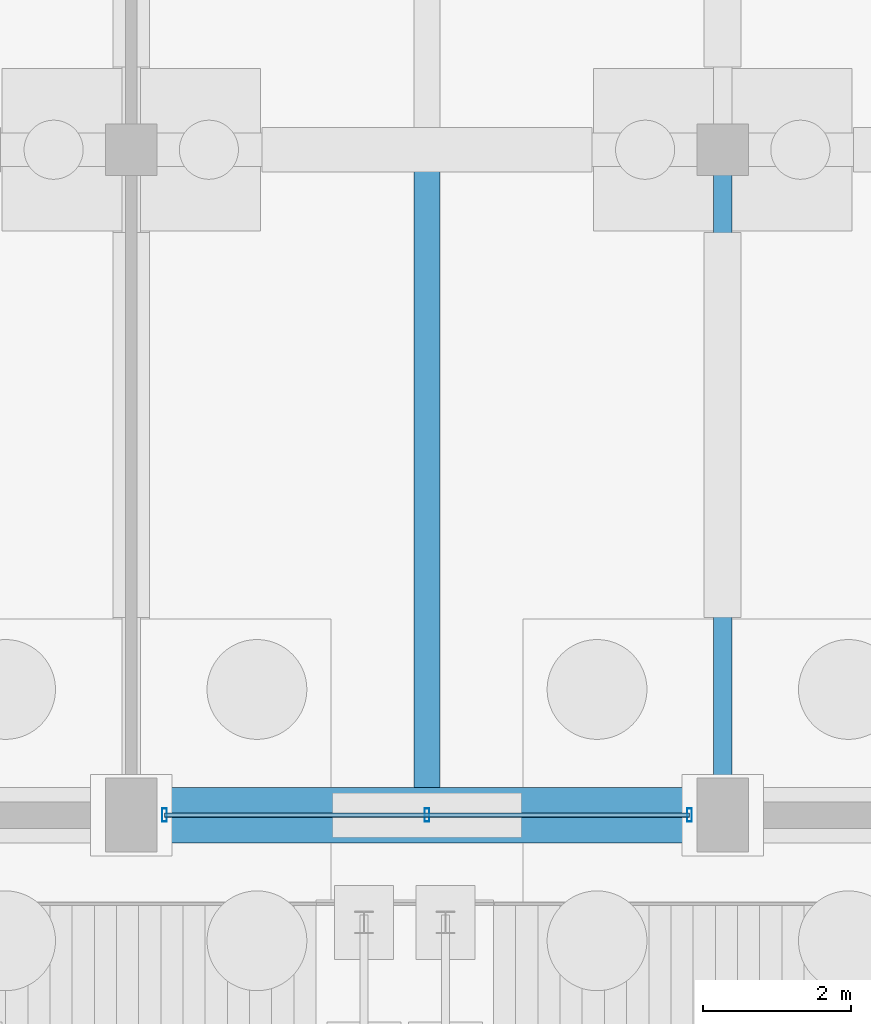
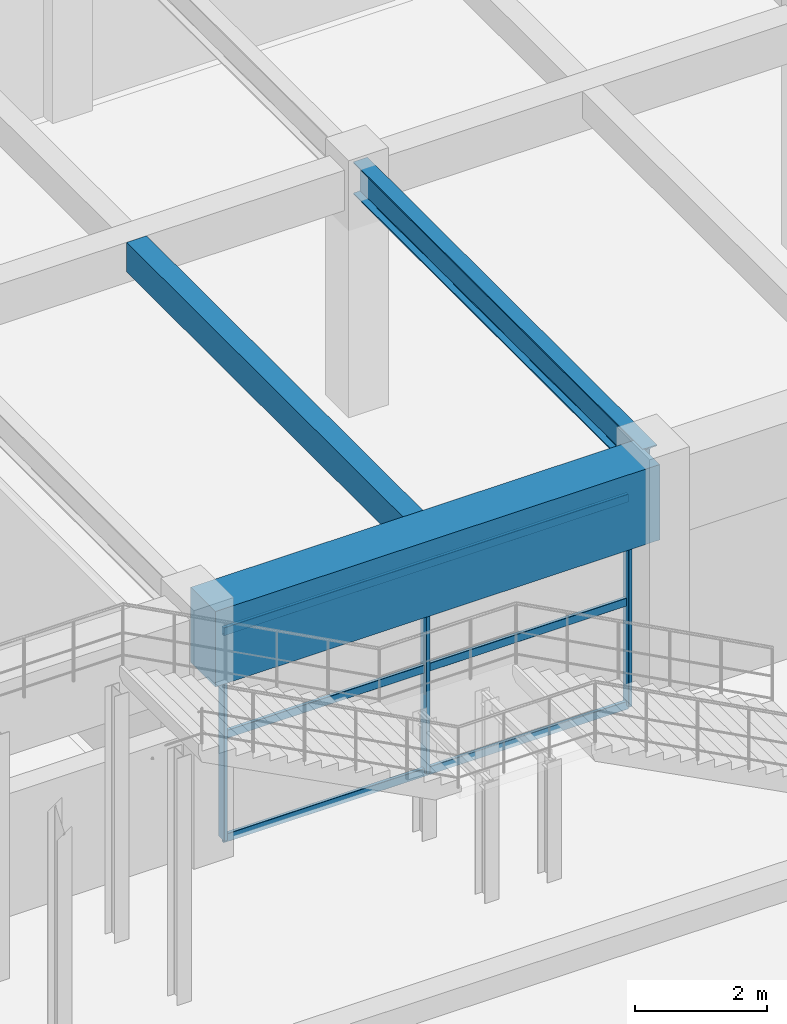
# One storey, part 87 of 147: 6 members, 3 beams, 1 element without a shape of its own.
"""IFC4 building model written with IfcOpenShell, lengths in metres."""

from ifc_helpers import new_model, si_unit, direction, frame, origin, origin_2d, place, context, subcontext, project, spatial, rectangle, hollow_rectangle, i_section, extrude, material, material_profile, profile_set, type_object, element, aggregate, save


model = new_model("IFC4")

# Units and contexts
model_context = context("Model", 3, precision=1e-05, world=origin(), true_north=direction((0.0, 1.0)))
body_context = subcontext(model_context, "Body", "Model", "MODEL_VIEW")
ifc_project = project(units=[si_unit("LENGTHUNIT", "METRE"), si_unit("AREAUNIT", "SQUARE_METRE"), si_unit("VOLUMEUNIT", "CUBIC_METRE"), si_unit("PLANEANGLEUNIT", "RADIAN"), si_unit("MASSUNIT", "GRAM", prefix="KILO")], contexts=[model_context])

# Site, building, storey
site_placement = place(None, origin())
site = spatial("IfcSite", under=ifc_project, at=site_placement, CompositionType="ELEMENT")
building_placement = place(site_placement, origin())
building = spatial("IfcBuilding", under=site, at=building_placement, Name="Varnabhumi Central Station", CompositionType="ELEMENT")
storey_placement = place(building_placement, origin())
storey = spatial("IfcBuildingStorey", under=building, at=storey_placement, Name="L00", CompositionType="ELEMENT", Elevation=0.0)

# Beams
ifc_material_1 = material(Name="Concrete M50", Category="concrete")
ifc_material_profile_1 = material_profile(ifc_material_1, rectangle(XDim=0.75, YDim=1.39990234375, at=origin_2d()), Name="Concrete M50", Category="concrete")
ifc_profile_set_1 = profile_set([ifc_material_profile_1], Name="Concrete M50")
beam_type_1 = type_object("IfcBeamType", Name="BM-RC-1400x750", PredefinedType="BEAM", material=ifc_profile_set_1)
beam_1_placement = place(storey_placement, frame((128.10009765625, 80.0, 3.85009765625), z_axis=(1.0, 0.0, 0.0), x_axis=(0.0, 1.0, 0.0)))
element("IfcBeam", 1, at=beam_1_placement, inside=storey, type_object=beam_type_1, Name="Beam L00-K:17-18", PredefinedType="BEAM", context=body_context, shape_type="SweptSolid", body=[
    extrude(rectangle(XDim=0.75, YDim=1.39990234375, at=origin_2d()), origin(), (0.0, 0.0, 1.0), 7.7998046875),
])
ifc_material_2 = material(Name="Concrete M40", Category="concrete")
ifc_material_profile_2 = material_profile(ifc_material_2, rectangle(XDim=0.35009765625, YDim=0.550048828125, at=origin_2d()), Name="Concrete M40", Category="concrete")
ifc_profile_set_2 = profile_set([ifc_material_profile_2], Name="Concrete M40")
beam_type_2 = type_object("IfcBeamType", Name="BM-RC-350x550", PredefinedType="JOIST", material=ifc_profile_set_2)
beam_2_placement = place(storey_placement, frame((132.0, 80.375, 4.27490234375), z_axis=(0.0, 1.0, 0.0), x_axis=(-1.0, 0.0, 0.0)))
element("IfcBeam", 2, at=beam_2_placement, inside=storey, type_object=beam_type_2, Name="Secondary Joist L00-17/18:K-L", PredefinedType="JOIST", context=body_context, shape_type="SweptSolid", body=[
    extrude(rectangle(XDim=0.35009765625, YDim=0.550048828125, at=origin_2d()), origin(), (0.0, 0.0, 1.0), 8.39990234375),
])
ifc_material_3 = material(Name="Structural steel E350", Category="steel")
ifc_material_profile_3 = material_profile(ifc_material_3, i_section(OverallWidth=0.25, OverallDepth=0.60009765625, WebThickness=0.01171875, FlangeThickness=0.023681640625, FilletRadius=0.01708984375, at=origin_2d()), Name="Structural steel E350", Category="steel")
ifc_profile_set_3 = profile_set([ifc_material_profile_3], Name="Structural steel E350")
beam_type_3 = type_object("IfcBeamType", Name="BM-SEC-ISWB600", PredefinedType="BEAM", material=ifc_profile_set_3)
beam_3_placement = place(storey_placement, frame((136.0, 80.10009765625, 4.25), z_axis=(0.0, 1.0, 0.0), x_axis=(-1.0, 0.0, 0.0)))
element("IfcBeam", 3, at=beam_3_placement, inside=storey, type_object=beam_type_3, Name="Beam L00-18:K-L", PredefinedType="BEAM", context=body_context, shape_type="SweptSolid", body=[
    extrude(i_section(OverallWidth=0.25, OverallDepth=0.60009765625, WebThickness=0.01171875, FlangeThickness=0.023681640625, FilletRadius=0.01708984375, at=origin_2d()), origin(), (0.0, 0.0, 1.0), 8.7998046875),
])

# Curtain wall, members
ifc_material_4 = material(Name="Anodised aluminium 6063-T6", Category="aluminium")
curtain_wall_type = type_object("IfcCurtainWallType", Name="CW-SPINE-SCREEN-L0", PredefinedType="NOTDEFINED", material=ifc_material_4)
curtain_wall_placement = place(storey_placement, origin())
curtain_wall = element("IfcCurtainWall", 4, at=curtain_wall_placement, inside=storey, type_object=curtain_wall_type, Name="Curtain Wall CW-NS016", PredefinedType="NOTDEFINED")
ifc_material_profile_4 = material_profile(ifc_material_4, hollow_rectangle(XDim=0.06494140625, YDim=0.179931640625, WallThickness=0.00390625, InnerFilletRadius=0.001953125, OuterFilletRadius=0.006103515625, at=origin_2d()), Name="Anodised aluminium 6063-T6", Category="aluminium")
ifc_profile_set_4 = profile_set([ifc_material_profile_4], Name="Anodised aluminium 6063-T6")
member_type_1 = type_object("IfcMemberType", Name="CW-MUL-180", PredefinedType="MULLION", material=ifc_profile_set_4)
member_1_placement = place(storey_placement, frame((128.449951171875, 80.0, 0.0), z_axis=(0.0, 0.0, 1.0), x_axis=(1.0, 0.0, 0.0)))
member_1 = element("IfcMember", 5, at=member_1_placement, type_object=member_type_1, Name="Curtain Wall Mullion CW-NS016-M1", PredefinedType="MULLION", context=body_context, shape_type="SweptSolid", body=[
    extrude(hollow_rectangle(XDim=0.06494140625, YDim=0.179931640625, WallThickness=0.00390625, InnerFilletRadius=0.001953125, OuterFilletRadius=0.006103515625, at=origin_2d()), origin(), (0.0, 0.0, 1.0), 3.840087890625),
])
member_2_placement = place(storey_placement, frame((132.0, 80.0, 0.0), z_axis=(0.0, 0.0, 1.0), x_axis=(1.0, 0.0, 0.0)))
member_2 = element("IfcMember", 6, at=member_2_placement, type_object=member_type_1, Name="Curtain Wall Mullion CW-NS016-M2", PredefinedType="MULLION", context=body_context, shape_type="SweptSolid", body=[
    extrude(hollow_rectangle(XDim=0.06494140625, YDim=0.179931640625, WallThickness=0.00390625, InnerFilletRadius=0.001953125, OuterFilletRadius=0.006103515625, at=origin_2d()), origin(), (0.0, 0.0, 1.0), 3.840087890625),
])
member_3_placement = place(storey_placement, frame((135.550048828125, 80.0, 0.0), z_axis=(0.0, 0.0, 1.0), x_axis=(1.0, 0.0, 0.0)))
member_3 = element("IfcMember", 7, at=member_3_placement, type_object=member_type_1, Name="Curtain Wall Mullion CW-NS016-M3", PredefinedType="MULLION", context=body_context, shape_type="SweptSolid", body=[
    extrude(hollow_rectangle(XDim=0.06494140625, YDim=0.179931640625, WallThickness=0.00390625, InnerFilletRadius=0.001953125, OuterFilletRadius=0.006103515625, at=origin_2d()), origin(), (0.0, 0.0, 1.0), 3.840087890625),
])
ifc_material_profile_5 = material_profile(ifc_material_4, hollow_rectangle(XDim=0.06005859375, YDim=0.14990234375, WallThickness=0.00390625, InnerFilletRadius=0.001953125, OuterFilletRadius=0.006103515625, at=origin_2d()), Name="Anodised aluminium 6063-T6", Category="aluminium")
ifc_profile_set_5 = profile_set([ifc_material_profile_5], Name="Anodised aluminium 6063-T6")
member_type_2 = type_object("IfcMemberType", Name="CW-TR-150", PredefinedType="USERDEFINED", material=ifc_profile_set_5)
member_4_placement = place(storey_placement, frame((128.449951171875, 80.0, 0.0), z_axis=(1.0, 0.0, 0.0), x_axis=(0.0, 1.0, 0.0)))
member_4 = element("IfcMember", 8, at=member_4_placement, type_object=member_type_2, Name="Curtain Wall Transom CW-NS016-T1", ObjectType="TRANSOM", PredefinedType="USERDEFINED", context=body_context, shape_type="SweptSolid", body=[
    extrude(hollow_rectangle(XDim=0.06005859375, YDim=0.14990234375, WallThickness=0.00390625, InnerFilletRadius=0.001953125, OuterFilletRadius=0.006103515625, at=origin_2d()), origin(), (0.0, 0.0, 1.0), 7.10009765625),
])
member_5_placement = place(storey_placement, frame((128.449951171875, 80.0, 1.919921875), z_axis=(1.0, 0.0, 0.0), x_axis=(0.0, 1.0, 0.0)))
member_5 = element("IfcMember", 9, at=member_5_placement, type_object=member_type_2, Name="Curtain Wall Transom CW-NS016-T2", ObjectType="TRANSOM", PredefinedType="USERDEFINED", context=body_context, shape_type="SweptSolid", body=[
    extrude(hollow_rectangle(XDim=0.06005859375, YDim=0.14990234375, WallThickness=0.00390625, InnerFilletRadius=0.001953125, OuterFilletRadius=0.006103515625, at=origin_2d()), origin(), (0.0, 0.0, 1.0), 7.10009765625),
])
member_6_placement = place(storey_placement, frame((128.449951171875, 80.0, 3.840087890625), z_axis=(1.0, 0.0, 0.0), x_axis=(0.0, 1.0, 0.0)))
member_6 = element("IfcMember", 10, at=member_6_placement, type_object=member_type_2, Name="Curtain Wall Transom CW-NS016-T3", ObjectType="TRANSOM", PredefinedType="USERDEFINED", context=body_context, shape_type="SweptSolid", body=[
    extrude(hollow_rectangle(XDim=0.06005859375, YDim=0.14990234375, WallThickness=0.00390625, InnerFilletRadius=0.001953125, OuterFilletRadius=0.006103515625, at=origin_2d()), origin(), (0.0, 0.0, 1.0), 7.10009765625),
])
aggregate(curtain_wall, [member_1, member_2, member_3, member_4, member_5, member_6])

save(model, "model.ifc")
